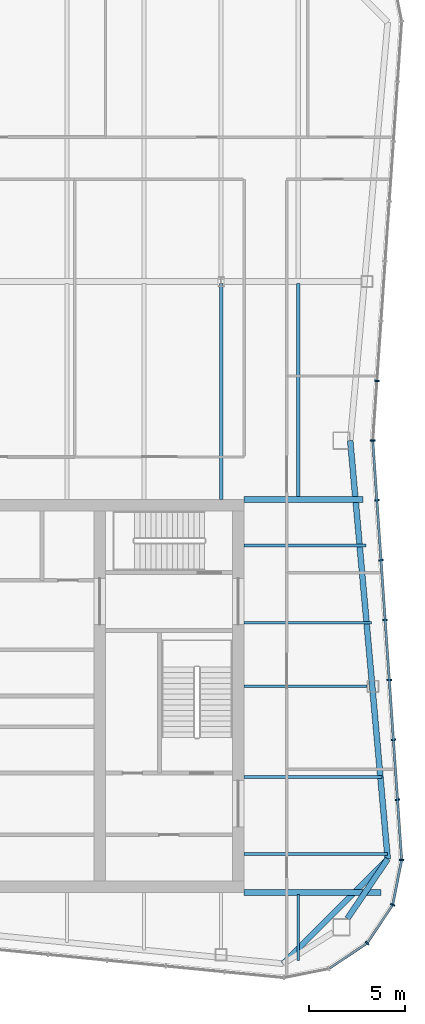
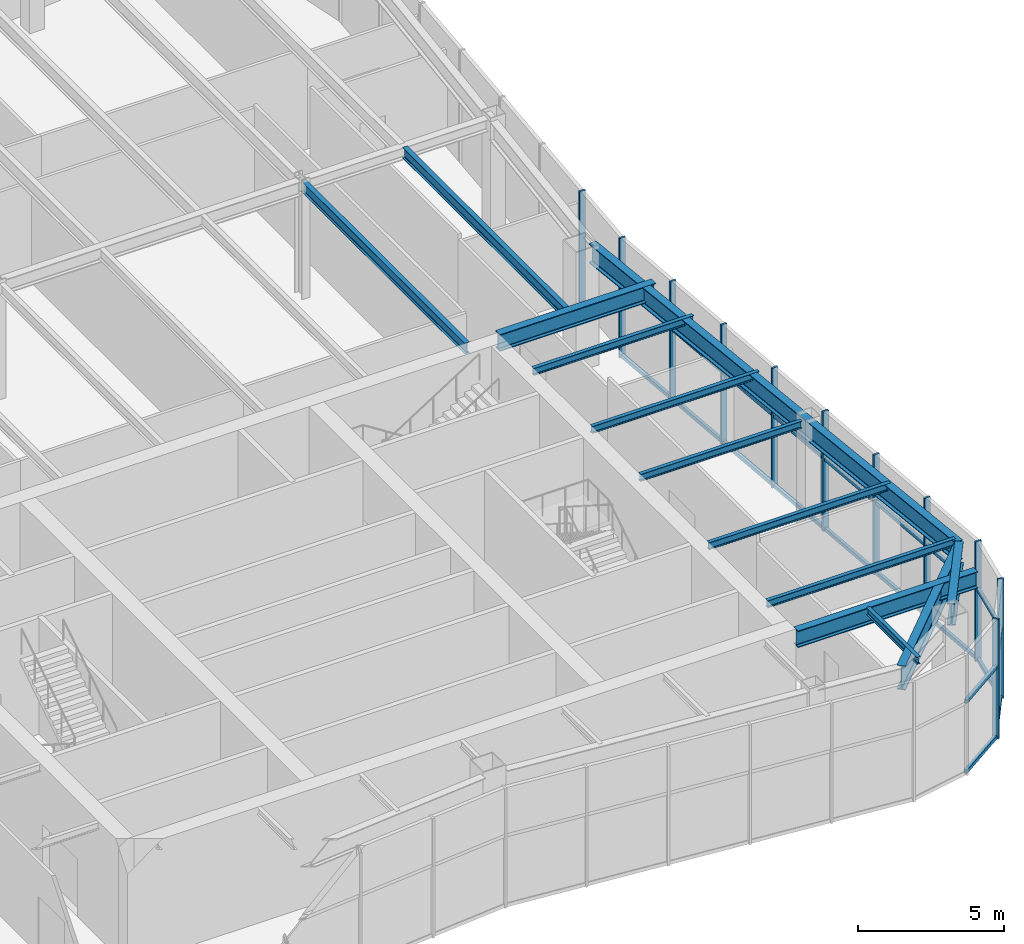
# One storey, part 5 of 13: 19 members, 13 beams, 2 elements without a shape of their own.
"""IFC4 building model written with IfcOpenShell, lengths in metres."""

import ifcopenshell
import ifcopenshell.guid

model = None  # the IFC model being written
_history = None  # IfcOwnerHistory: only IFC2X3 demands one
_inside = {}  # id of a spatial element -> (the spatial element, [elements in it])
_under = {}  # id of a project, library or spatial element -> (it, [spatial elements below it])
_declared = {}  # id of a project -> (the project, [libraries it declares])
_typed = {}  # id of a type object -> (the type object, [elements of that type])
_made_of = {}  # id of a material, layer set ... -> (it, [elements and type objects made of it])


def new_model(schema):
    """Start an empty IFC model of exactly this schema.

    Asked for "IFC4X3", IfcOpenShell would pick the latest addendum, in which some entities
    have other attributes; the version numbers below select the first issue.
    IFC2X3 requires an IfcOwnerHistory on every rooted entity: one is made here for all.
    """
    global model, _history
    if schema == "IFC4X3":
        model = ifcopenshell.file(schema_version=(4, 3, 0, 0))
    else:
        model = ifcopenshell.file(schema=schema)
    _inside.clear()
    _under.clear()
    _declared.clear()
    _typed.clear()
    _made_of.clear()
    _history = None
    if model.schema == "IFC2X3":
        org = make("IfcOrganization", Name="unknown")
        user = make(
            "IfcPersonAndOrganization",
            ThePerson=make("IfcPerson", FamilyName="unknown"),
            TheOrganization=org,
        )
        app = make(
            "IfcApplication",
            ApplicationDeveloper=org,
            Version="unknown",
            ApplicationFullName="unknown",
            ApplicationIdentifier="unknown",
        )
        _history = make(
            "IfcOwnerHistory",
            OwningUser=user,
            OwningApplication=app,
            ChangeAction="ADDED",
            CreationDate=0,
        )
    return model


def make(cls, **values):
    """One entity of the class cls with the attributes given. An attribute that is None is left unset."""
    return model.create_entity(
        cls, **{name: value for name, value in values.items() if value is not None}
    )


def rooted(cls, **values):
    """An entity with a GlobalId (a new one), such as an element, a storey or a relation."""
    return make(cls, GlobalId=ifcopenshell.guid.new(), OwnerHistory=_history, **values)


def si_unit(unit_type, name, prefix=None):
    """IfcSIUnit, for example si_unit("LENGTHUNIT", "METRE", prefix="MILLI")."""
    return make("IfcSIUnit", UnitType=unit_type, Prefix=prefix, Name=name)


def assignment(units):
    """IfcUnitAssignment: the units of a project."""
    return None if units is None else make("IfcUnitAssignment", Units=units)


def point(xyz):
    """IfcCartesianPoint."""
    return None if xyz is None else make("IfcCartesianPoint", Coordinates=xyz)


def direction(xyz):
    """IfcDirection."""
    return None if xyz is None else make("IfcDirection", DirectionRatios=xyz)


def frame(location, z_axis=None, x_axis=None):
    """IfcAxis2Placement3D, a coordinate frame: its origin and axes. An axis left out is left unset."""
    return make(
        "IfcAxis2Placement3D",
        Location=point(location),
        Axis=direction(z_axis),
        RefDirection=direction(x_axis),
    )


def frame_2d(location, x_axis=None):
    """IfcAxis2Placement2D, a coordinate frame in the plane: its origin and x axis."""
    return make(
        "IfcAxis2Placement2D", Location=point(location), RefDirection=direction(x_axis)
    )


def origin():
    """The frame at (0, 0, 0) with its axes left unset."""
    return frame((0.0, 0.0, 0.0))


def origin_2d():
    """The frame at (0, 0) in the plane with its x axis left unset."""
    return frame_2d((0.0, 0.0))


def place(relative_to, where):
    """IfcLocalPlacement: puts the frame where relative to a parent placement (None: the world)."""
    return make(
        "IfcLocalPlacement", PlacementRelTo=relative_to, RelativePlacement=where
    )


def context(
    kind, dimensions, precision=None, world=None, true_north=None, identifier=None
):
    """IfcGeometricRepresentationContext, for example the 3D "Model" context."""
    return make(
        "IfcGeometricRepresentationContext",
        ContextIdentifier=identifier,
        ContextType=kind,
        CoordinateSpaceDimension=dimensions,
        Precision=precision,
        WorldCoordinateSystem=world,
        TrueNorth=true_north,
    )


def subcontext(parent, identifier, kind, view, scale=None):
    """IfcGeometricRepresentationSubContext, for example "Body" below "Model"."""
    return make(
        "IfcGeometricRepresentationSubContext",
        ContextIdentifier=identifier,
        ContextType=kind,
        ParentContext=parent,
        TargetScale=scale,
        TargetView=view,
    )


def project(units=None, contexts=None):
    """IfcProject with its units and contexts."""
    return rooted(
        "IfcProject",
        Name="project",
        RepresentationContexts=contexts,
        UnitsInContext=assignment(units),
    )


def spatial(cls, under=None, at=None, **own):
    """A site, building, storey or space (cls), placed at a placement, below another one or the project."""
    s = rooted(cls, ObjectPlacement=at, **own)
    if under is not None:
        _under.setdefault(under.id(), (under, []))[1].append(s)
    return s


def profile(cls, at=None, kind="AREA", **sizes):
    """A parametric profile (cls). Its sizes go by their IFC names, for example OverallWidth=200.0."""
    return make(cls, ProfileType=kind, Position=at, **sizes)


def rectangle(**sizes):
    """IfcRectangleProfileDef."""
    return profile("IfcRectangleProfileDef", **sizes)


def i_section(**sizes):
    """IfcIShapeProfileDef."""
    return profile("IfcIShapeProfileDef", **sizes)


def extrude(swept, where, along, depth):
    """IfcExtrudedAreaSolid: the profile swept, set in the frame where, extruded along a direction by depth."""
    return make(
        "IfcExtrudedAreaSolid",
        SweptArea=swept,
        Position=where,
        ExtrudedDirection=direction(along),
        Depth=depth,
    )


def shape(context_of_items, identifier, shape_type, items):
    """IfcShapeRepresentation: the items that make up one representation, for example the "Body"."""
    return make(
        "IfcShapeRepresentation",
        ContextOfItems=context_of_items,
        RepresentationIdentifier=identifier,
        RepresentationType=shape_type,
        Items=items,
    )


def material(Name=None, Category=None):
    """IfcMaterial."""
    return make("IfcMaterial", Name=Name, Category=Category)


def material_profile(
    of_material, cross_section, Name=None, Category=None, Priority=None
):
    """IfcMaterialProfile: a cross section and its material."""
    return make(
        "IfcMaterialProfile",
        Name=Name,
        Material=of_material,
        Profile=cross_section,
        Priority=Priority,
        Category=Category,
    )


def profile_set(profiles, Name=None, composite=None):
    """IfcMaterialProfileSet."""
    return make(
        "IfcMaterialProfileSet",
        Name=Name,
        MaterialProfiles=profiles,
        CompositeProfile=composite,
    )


def made_of(thing, what):
    """Note that an element or type object is made of a material, layer set ...; save() writes the relation."""
    if what is not None:
        _made_of.setdefault(what.id(), (what, []))[1].append(thing)
    return thing


def type_object(cls, material=None, **own):
    """A type object (cls), such as IfcWallType, which elements share."""
    return made_of(rooted(cls, **own), material)


def element(
    cls,
    number,
    at=None,
    inside=None,
    cuts=None,
    type_object=None,
    material=None,
    context=None,
    identifier="Body",
    shape_type=None,
    held_by="IfcProductDefinitionShape",
    body=None,
    shapes=None,
    **own,
):
    """One element of the class cls, such as IfcWall. Its Tag is "e" and its number.

    at: its placement. inside: the storey or other place that contains it. cuts: it is an
    opening in that element (IfcRelVoidsElement). A single representation is given by context,
    identifier, shape_type and body (its items); several are given by shapes. held_by: the class
    of the entity that holds the representations. save() writes the other relations.
    """
    e = rooted(cls, Tag="e%d" % number, ObjectPlacement=at, **own)
    if body is not None:
        shapes = [shape(context, identifier, shape_type, body)]
    if shapes is not None:
        e.Representation = make(held_by, Representations=shapes)
    if inside is not None:
        _inside.setdefault(inside.id(), (inside, []))[1].append(e)
    if cuts is not None:
        rooted(
            "IfcRelVoidsElement", RelatingBuildingElement=cuts, RelatedOpeningElement=e
        )
    if type_object is not None:
        _typed.setdefault(type_object.id(), (type_object, []))[1].append(e)
    return made_of(e, material)


def aggregate(whole, parts):
    """IfcRelAggregates: a whole, such as a stair, and the parts it consists of."""
    return rooted("IfcRelAggregates", RelatingObject=whole, RelatedObjects=parts)


def save(model, path):
    """Write the relations noted so far, then the file.

    IfcRelAggregates (storeys below a building ...), IfcRelContainedInSpatialStructure (elements
    in a storey), IfcRelDefinesByType, IfcRelAssociatesMaterial and IfcRelDeclares: one each for
    every whole, place, type object, material and project.
    """
    for whole, parts in _under.values():
        aggregate(whole, parts)
    for where, things in _inside.values():
        rooted(
            "IfcRelContainedInSpatialStructure",
            RelatedElements=things,
            RelatingStructure=where,
        )
    for kind, things in _typed.values():
        rooted("IfcRelDefinesByType", RelatedObjects=things, RelatingType=kind)
    for what, things in _made_of.values():
        rooted("IfcRelAssociatesMaterial", RelatedObjects=things, RelatingMaterial=what)
    for by, libraries in _declared.values():
        rooted("IfcRelDeclares", RelatingContext=by, RelatedDefinitions=libraries)
    model.write(path)


model = new_model("IFC4")

# Units and contexts
model_context = context("Model", 3, precision=1e-05, world=origin(), true_north=direction((0.0, 1.0)))
body_context = subcontext(model_context, "Body", "Model", "MODEL_VIEW")
ifc_project = project(units=[si_unit("LENGTHUNIT", "METRE"), si_unit("AREAUNIT", "SQUARE_METRE"), si_unit("VOLUMEUNIT", "CUBIC_METRE"), si_unit("PLANEANGLEUNIT", "RADIAN"), si_unit("MASSUNIT", "GRAM", prefix="KILO")], contexts=[model_context])

# Site, building, storey
site_placement = place(None, origin())
site = spatial("IfcSite", under=ifc_project, at=site_placement, CompositionType="ELEMENT")
building_placement = place(site_placement, origin())
building = spatial("IfcBuilding", under=site, at=building_placement, Name="Verdant Reach Tower", CompositionType="ELEMENT")
storey_placement = place(building_placement, frame((0.0, 0.0, 354.5)))
storey = spatial("IfcBuildingStorey", under=building, at=storey_placement, Name="L80 Plant", CompositionType="ELEMENT", Elevation=354.5)

# Curtain wall, members
ifc_material_1 = material(Name="Anodised aluminium", Category="aluminium")
curtain_wall_type = type_object("IfcCurtainWallType", Name="EN-CW SYSTEM PLANT", PredefinedType="NOTDEFINED", material=ifc_material_1)
curtain_wall_1_placement = place(storey_placement, origin())
curtain_wall_1 = element("IfcCurtainWall", 1, at=curtain_wall_1_placement, inside=storey, type_object=curtain_wall_type, Name="Curtain wall south-east corner, L80", PredefinedType="NOTDEFINED")
ifc_material_profile_1 = material_profile(ifc_material_1, rectangle(XDim=0.238037109375, YDim=0.080078125, at=origin_2d()), Name="Mullion 80x240")
ifc_profile_set_1 = profile_set([ifc_material_profile_1], Name="Anodised aluminium")
member_type_1 = type_object("IfcMemberType", Name="EN-MULLION PLANT", PredefinedType="MULLION", material=ifc_profile_set_1)
member_1_placement = place(storey_placement, frame((19.57666015625, 15.17333984375, -0.35009765625), z_axis=(0.0, 0.0, 1.0), x_axis=(0.707106781187, -0.707106781187, 0.0)))
member_1 = element("IfcMember", 2, at=member_1_placement, type_object=member_type_1, Name="Mullion south-east corner 3, L80", PredefinedType="MULLION", context=body_context, shape_type="SweptSolid", body=[
    extrude(rectangle(XDim=0.238037109375, YDim=0.080078125, at=origin_2d()), origin(), (0.0, 0.0, 1.0), 5.0),
])
member_2_placement = place(storey_placement, frame((20.9033203125, 17.158447265625, -0.35009765625), z_axis=(0.0, 0.0, 1.0), x_axis=(0.923875215753, -0.382693853776, 0.0)))
member_2 = element("IfcMember", 3, at=member_2_placement, type_object=member_type_1, Name="Mullion south-east corner 4, L80", PredefinedType="MULLION", context=body_context, shape_type="SweptSolid", body=[
    extrude(rectangle(XDim=0.238037109375, YDim=0.080078125, at=origin_2d()), origin(), (0.0, 0.0, 1.0), 5.0),
])

curtain_wall_2_placement = place(storey_placement, origin())
curtain_wall_2 = element("IfcCurtainWall", 4, at=curtain_wall_2_placement, inside=storey, type_object=curtain_wall_type, Name="Curtain wall east, L80", PredefinedType="NOTDEFINED")
member_3_placement = place(storey_placement, frame((21.36865234375, 19.492431640625, -0.35009765625), z_axis=(0.0, 0.0, 1.0), x_axis=(0.997969180898, -0.063698618332, 0.0)))
member_3 = element("IfcMember", 5, at=member_3_placement, type_object=member_type_1, Name="Mullion east face part 1 1, L80", PredefinedType="MULLION", context=body_context, shape_type="SweptSolid", body=[
    extrude(rectangle(XDim=0.238037109375, YDim=0.080078125, at=origin_2d()), origin(), (0.0, 0.0, 1.0), 5.0),
])
member_4_placement = place(storey_placement, frame((21.154541015625, 22.615234375, -0.35009765625), z_axis=(0.0, 0.0, 1.0), x_axis=(0.997630328423, 0.068802091615, 0.0)))
member_4 = element("IfcMember", 6, at=member_4_placement, type_object=member_type_1, Name="Mullion east face part 1 2, L80", PredefinedType="MULLION", context=body_context, shape_type="SweptSolid", body=[
    extrude(rectangle(XDim=0.238037109375, YDim=0.080078125, at=origin_2d()), origin(), (0.0, 0.0, 1.0), 5.0),
])
member_5_placement = place(storey_placement, frame((20.940185546875, 25.722412109375, -0.35009765625), z_axis=(0.0, 0.0, 1.0), x_axis=(0.997630328423, 0.068802091615, 0.0)))
member_5 = element("IfcMember", 7, at=member_5_placement, type_object=member_type_1, Name="Mullion east face part 1 3, L80", PredefinedType="MULLION", context=body_context, shape_type="SweptSolid", body=[
    extrude(rectangle(XDim=0.238037109375, YDim=0.080078125, at=origin_2d()), origin(), (0.0, 0.0, 1.0), 5.0),
])
member_6_placement = place(storey_placement, frame((20.725830078125, 28.82958984375, -0.35009765625), z_axis=(0.0, 0.0, 1.0), x_axis=(0.997630328423, 0.068802091615, 0.0)))
member_6 = element("IfcMember", 8, at=member_6_placement, type_object=member_type_1, Name="Mullion east face part 1 4, L80", PredefinedType="MULLION", context=body_context, shape_type="SweptSolid", body=[
    extrude(rectangle(XDim=0.238037109375, YDim=0.080078125, at=origin_2d()), origin(), (0.0, 0.0, 1.0), 5.0),
])
member_7_placement = place(storey_placement, frame((20.511474609375, 31.936767578125, -0.35009765625), z_axis=(0.0, 0.0, 1.0), x_axis=(0.997630328423, 0.068802091615, 0.0)))
member_7 = element("IfcMember", 9, at=member_7_placement, type_object=member_type_1, Name="Mullion east face part 1 5, L80", PredefinedType="MULLION", context=body_context, shape_type="SweptSolid", body=[
    extrude(rectangle(XDim=0.238037109375, YDim=0.080078125, at=origin_2d()), origin(), (0.0, 0.0, 1.0), 5.0),
])
member_8_placement = place(storey_placement, frame((20.29736328125, 35.0439453125, -0.35009765625), z_axis=(0.0, 0.0, 1.0), x_axis=(0.997630328423, 0.068802091615, 0.0)))
member_8 = element("IfcMember", 10, at=member_8_placement, type_object=member_type_1, Name="Mullion east face part 1 6, L80", PredefinedType="MULLION", context=body_context, shape_type="SweptSolid", body=[
    extrude(rectangle(XDim=0.238037109375, YDim=0.080078125, at=origin_2d()), origin(), (0.0, 0.0, 1.0), 5.0),
])
member_9_placement = place(storey_placement, frame((20.0830078125, 38.151123046875, -0.35009765625), z_axis=(0.0, 0.0, 1.0), x_axis=(0.997630328423, 0.068802091615, 0.0)))
member_9 = element("IfcMember", 11, at=member_9_placement, type_object=member_type_1, Name="Mullion east face part 1 7, L80", PredefinedType="MULLION", context=body_context, shape_type="SweptSolid", body=[
    extrude(rectangle(XDim=0.238037109375, YDim=0.080078125, at=origin_2d()), origin(), (0.0, 0.0, 1.0), 5.0),
])
member_10_placement = place(storey_placement, frame((19.868896484375, 41.25, -0.35009765625), z_axis=(0.0, 0.0, 1.0), x_axis=(1.0, 0.0, 0.0)))
member_10 = element("IfcMember", 12, at=member_10_placement, type_object=member_type_1, Name="Mullion east face part 2 1, L80", PredefinedType="MULLION", context=body_context, shape_type="SweptSolid", body=[
    extrude(rectangle(XDim=0.238037109375, YDim=0.080078125, at=origin_2d()), origin(), (0.0, 0.0, 1.0), 5.0),
])
member_11_placement = place(storey_placement, frame((20.0830078125, 44.348876953125, -0.35009765625), z_axis=(0.0, 0.0, 1.0), x_axis=(0.997630328423, -0.068802091615, 0.0)))
member_11 = element("IfcMember", 13, at=member_11_placement, type_object=member_type_1, Name="Mullion east face part 2 2, L80", PredefinedType="MULLION", context=body_context, shape_type="SweptSolid", body=[
    extrude(rectangle(XDim=0.238037109375, YDim=0.080078125, at=origin_2d()), origin(), (0.0, 0.0, 1.0), 5.0),
])

# Member
ifc_material_profile_2 = material_profile(ifc_material_1, rectangle(XDim=0.1201171875, YDim=0.14990234375, at=origin_2d()), Name="Transom 150x120")
ifc_profile_set_2 = profile_set([ifc_material_profile_2], Name="Anodised aluminium")
member_type_2 = type_object("IfcMemberType", Name="EN-TRANSOM PLANT", PredefinedType="USERDEFINED", material=ifc_profile_set_2)
member_12_placement = place(storey_placement, frame((17.625, 13.868896484375, -0.27490234375), z_axis=(0.831398626828, 0.5556764556, 0.0), x_axis=(-0.5556764556, 0.831398626828, 0.0)))
member_12 = element("IfcMember", 14, at=member_12_placement, type_object=member_type_2, Name="Transom south-east corner 2.1, L80", ObjectType="TRANSOM", PredefinedType="USERDEFINED", context=body_context, shape_type="SweptSolid", body=[
    extrude(rectangle(XDim=0.1201171875, YDim=0.14990234375, at=origin_2d()), origin(), (0.0, 0.0, 1.0), 2.3076171875),
])

member_13_placement = place(storey_placement, frame((19.598876953125, 15.20654296875, -0.27490234375), z_axis=(0.5556764556, 0.831398626828, 0.0), x_axis=(-0.831398626828, 0.5556764556, 0.0)))
member_13 = element("IfcMember", 15, at=member_13_placement, type_object=member_type_2, Name="Transom south-east corner 3.1, L80", ObjectType="TRANSOM", PredefinedType="USERDEFINED", context=body_context, shape_type="SweptSolid", body=[
    extrude(rectangle(XDim=0.1201171875, YDim=0.14990234375, at=origin_2d()), origin(), (0.0, 0.0, 1.0), 2.3076171875),
])

member_14_placement = place(storey_placement, frame((20.9111328125, 17.197509765625, -0.27490234375), z_axis=(0.195524121666, 0.980698892549, 0.0), x_axis=(-0.980698892549, 0.195524121666, 0.0)))
member_14 = element("IfcMember", 16, at=member_14_placement, type_object=member_type_2, Name="Transom south-east corner 4.1, L80", ObjectType="TRANSOM", PredefinedType="USERDEFINED", context=body_context, shape_type="SweptSolid", body=[
    extrude(rectangle(XDim=0.1201171875, YDim=0.14990234375, at=origin_2d()), origin(), (0.0, 0.0, 1.0), 2.300048828125),
])

member_15_placement = place(storey_placement, frame((17.625, 13.868896484375, 2.64990234375), z_axis=(0.831398626828, 0.5556764556, 0.0), x_axis=(-0.5556764556, 0.831398626828, 0.0)))
member_15 = element("IfcMember", 17, at=member_15_placement, type_object=member_type_2, Name="Transom south-east corner 2.2, L80", ObjectType="TRANSOM", PredefinedType="USERDEFINED", context=body_context, shape_type="SweptSolid", body=[
    extrude(rectangle(XDim=0.1201171875, YDim=0.14990234375, at=origin_2d()), origin(), (0.0, 0.0, 1.0), 2.3076171875),
])

member_16_placement = place(storey_placement, frame((19.598876953125, 15.20654296875, 2.64990234375), z_axis=(0.5556764556, 0.831398626828, 0.0), x_axis=(-0.831398626828, 0.5556764556, 0.0)))
member_16 = element("IfcMember", 18, at=member_16_placement, type_object=member_type_2, Name="Transom south-east corner 3.2, L80", ObjectType="TRANSOM", PredefinedType="USERDEFINED", context=body_context, shape_type="SweptSolid", body=[
    extrude(rectangle(XDim=0.1201171875, YDim=0.14990234375, at=origin_2d()), origin(), (0.0, 0.0, 1.0), 2.3076171875),
])

member_17_placement = place(storey_placement, frame((20.9111328125, 17.197509765625, 2.64990234375), z_axis=(0.195524121666, 0.980698892549, 0.0), x_axis=(-0.980698892549, 0.195524121666, 0.0)))
member_17 = element("IfcMember", 19, at=member_17_placement, type_object=member_type_2, Name="Transom south-east corner 4.2, L80", ObjectType="TRANSOM", PredefinedType="USERDEFINED", context=body_context, shape_type="SweptSolid", body=[
    extrude(rectangle(XDim=0.1201171875, YDim=0.14990234375, at=origin_2d()), origin(), (0.0, 0.0, 1.0), 2.300048828125),
])

aggregate(curtain_wall_1, [member_1, member_2, member_12, member_13, member_14, member_15, member_16, member_17])

member_18_placement = place(storey_placement, frame((21.365966796875, 19.5322265625, -0.27490234375), z_axis=(-0.068761218296, 0.997633146431, 0.0), x_axis=(-0.997633146431, -0.068761218296, 0.0)))
member_18 = element("IfcMember", 20, at=member_18_placement, type_object=member_type_2, Name="Transom east face part 1 1.1, L80", ObjectType="TRANSOM", PredefinedType="USERDEFINED", context=body_context, shape_type="SweptSolid", body=[
    extrude(rectangle(XDim=0.1201171875, YDim=0.14990234375, at=origin_2d()), origin(), (0.0, 0.0, 1.0), 21.7294921875),
])

member_19_placement = place(storey_placement, frame((21.365966796875, 19.5322265625, 2.64990234375), z_axis=(-0.068761218296, 0.997633146431, 0.0), x_axis=(-0.997633146431, -0.068761218296, 0.0)))
member_19 = element("IfcMember", 21, at=member_19_placement, type_object=member_type_2, Name="Transom east face part 1 1.2, L80", ObjectType="TRANSOM", PredefinedType="USERDEFINED", context=body_context, shape_type="SweptSolid", body=[
    extrude(rectangle(XDim=0.1201171875, YDim=0.14990234375, at=origin_2d()), origin(), (0.0, 0.0, 1.0), 21.7294921875),
])

aggregate(curtain_wall_2, [member_3, member_4, member_5, member_6, member_7, member_8, member_9, member_18, member_19, member_10, member_11])

# Beams
ifc_material_2 = material(Name="Steel S355", Category="steel")
ifc_material_profile_3 = material_profile(ifc_material_2, i_section(OverallWidth=0.300048828125, OverallDepth=0.699951171875, WebThickness=0.01708984375, FlangeThickness=0.031982421875, FilletRadius=0.027099609375, at=origin_2d()), Name="HEB 700")
ifc_profile_set_3 = profile_set([ifc_material_profile_3], Name="Steel S355")
beam_type_1 = type_object("IfcBeamType", Name="ST-BEAM-HEB700", PredefinedType="BEAM", material=ifc_profile_set_3)
beam_1_placement = place(storey_placement, frame((13.199951171875, 38.199951171875, 4.5), z_axis=(1.0, 0.0, 0.0), x_axis=(0.0, 1.0, 0.0)))
element("IfcBeam", 22, at=beam_1_placement, inside=storey, type_object=beam_type_1, Name="Trimmer beam, L80 Plant", PredefinedType="BEAM", context=body_context, shape_type="SweptSolid", body=[
    extrude(i_section(OverallWidth=0.300048828125, OverallDepth=0.699951171875, WebThickness=0.01708984375, FlangeThickness=0.031982421875, FilletRadius=0.027099609375, at=origin_2d()), origin(), (0.0, 0.0, 1.0), 6.158935546875),
])
beam_2_placement = place(storey_placement, frame((13.199951171875, 17.800048828125, 4.5), z_axis=(1.0, 0.0, 0.0), x_axis=(0.0, 1.0, 0.0)))
element("IfcBeam", 23, at=beam_2_placement, inside=storey, type_object=beam_type_1, Name="Trimmer beam, L80 Plant", PredefinedType="BEAM", context=body_context, shape_type="SweptSolid", body=[
    extrude(i_section(OverallWidth=0.300048828125, OverallDepth=0.699951171875, WebThickness=0.01708984375, FlangeThickness=0.031982421875, FilletRadius=0.027099609375, at=origin_2d()), origin(), (0.0, 0.0, 1.0), 7.10009765625),
])
ifc_material_profile_4 = material_profile(ifc_material_2, i_section(OverallWidth=0.302001953125, OverallDepth=0.909912109375, WebThickness=0.02099609375, FlangeThickness=0.0400390625, FilletRadius=0.030029296875, at=origin_2d()), Name="HEM 900")
ifc_profile_set_4 = profile_set([ifc_material_profile_4], Name="Steel S355")
beam_type_2 = type_object("IfcBeamType", Name="ST-BEAM-HEM900", PredefinedType="BEAM", material=ifc_profile_set_4)
beam_3_placement = place(storey_placement, frame((18.5546875, 16.449951171875, 4.39501953125), z_axis=(0.560667226688, 0.828041219335, 0.0), x_axis=(-0.828041219335, 0.560667226688, 0.0)))
element("IfcBeam", 24, at=beam_3_placement, inside=storey, type_object=beam_type_2, Name="Column stub beam, L80 Plant", PredefinedType="BEAM", context=body_context, shape_type="SweptSolid", body=[
    extrude(i_section(OverallWidth=0.302001953125, OverallDepth=0.909912109375, WebThickness=0.02099609375, FlangeThickness=0.0400390625, FilletRadius=0.030029296875, at=origin_2d()), origin(), (0.0, 0.0, 1.0), 3.72998046875),
])
ifc_material_profile_5 = material_profile(ifc_material_2, i_section(OverallWidth=0.14990234375, OverallDepth=0.300048828125, WebThickness=0.007080078125, FlangeThickness=0.0107421875, FilletRadius=0.014892578125, at=origin_2d()), Name="IPE 300")
ifc_profile_set_5 = profile_set([ifc_material_profile_5], Name="Steel S355")
beam_type_3 = type_object("IfcBeamType", Name="ST-JOIST-IPE300", PredefinedType="JOIST", material=ifc_profile_set_5)
beam_4_placement = place(storey_placement, frame((16.0, 17.699951171875, 4.699951171875), z_axis=(0.0, -1.0, 0.0), x_axis=(1.0, 0.0, 0.0)))
element("IfcBeam", 25, at=beam_4_placement, inside=storey, type_object=beam_type_3, Name="Floor joist, L80 Plant", PredefinedType="JOIST", context=body_context, shape_type="SweptSolid", body=[
    extrude(i_section(OverallWidth=0.14990234375, OverallDepth=0.300048828125, WebThickness=0.007080078125, FlangeThickness=0.0107421875, FilletRadius=0.014892578125, at=origin_2d()), origin(), (0.0, 0.0, 1.0), 3.43896484375),
])
beam_5_placement = place(storey_placement, frame((13.199951171875, 19.800048828125, 4.699951171875), z_axis=(1.0, 0.0, 0.0), x_axis=(0.0, 1.0, 0.0)))
element("IfcBeam", 26, at=beam_5_placement, inside=storey, type_object=beam_type_3, Name="Floor joist, L80 Plant", PredefinedType="JOIST", context=body_context, shape_type="SweptSolid", body=[
    extrude(i_section(OverallWidth=0.14990234375, OverallDepth=0.300048828125, WebThickness=0.007080078125, FlangeThickness=0.0107421875, FilletRadius=0.014892578125, at=origin_2d()), origin(), (0.0, 0.0, 1.0), 7.427978515625),
])
beam_6_placement = place(storey_placement, frame((13.199951171875, 23.800048828125, 4.699951171875), z_axis=(1.0, 0.0, 0.0), x_axis=(0.0, 1.0, 0.0)))
element("IfcBeam", 27, at=beam_6_placement, inside=storey, type_object=beam_type_3, Name="Floor joist, L80 Plant", PredefinedType="JOIST", context=body_context, shape_type="SweptSolid", body=[
    extrude(i_section(OverallWidth=0.14990234375, OverallDepth=0.300048828125, WebThickness=0.007080078125, FlangeThickness=0.0107421875, FilletRadius=0.014892578125, at=origin_2d()), origin(), (0.0, 0.0, 1.0), 7.152099609375),
])
beam_7_placement = place(storey_placement, frame((13.199951171875, 28.5, 4.699951171875), z_axis=(1.0, 0.0, 0.0), x_axis=(0.0, 1.0, 0.0)))
element("IfcBeam", 28, at=beam_7_placement, inside=storey, type_object=beam_type_3, Name="Floor joist, L80 Plant", PredefinedType="JOIST", context=body_context, shape_type="SweptSolid", body=[
    extrude(i_section(OverallWidth=0.14990234375, OverallDepth=0.300048828125, WebThickness=0.007080078125, FlangeThickness=0.0107421875, FilletRadius=0.014892578125, at=origin_2d()), origin(), (0.0, 0.0, 1.0), 6.37939453125),
])
beam_8_placement = place(storey_placement, frame((13.199951171875, 31.800048828125, 4.699951171875), z_axis=(1.0, 0.0, 0.0), x_axis=(0.0, 1.0, 0.0)))
element("IfcBeam", 29, at=beam_8_placement, inside=storey, type_object=beam_type_3, Name="Floor joist, L80 Plant", PredefinedType="JOIST", context=body_context, shape_type="SweptSolid", body=[
    extrude(i_section(OverallWidth=0.14990234375, OverallDepth=0.300048828125, WebThickness=0.007080078125, FlangeThickness=0.0107421875, FilletRadius=0.014892578125, at=origin_2d()), origin(), (0.0, 0.0, 1.0), 6.600341796875),
])
beam_9_placement = place(storey_placement, frame((13.199951171875, 35.800048828125, 4.699951171875), z_axis=(1.0, 0.0, 0.0), x_axis=(0.0, 1.0, 0.0)))
element("IfcBeam", 30, at=beam_9_placement, inside=storey, type_object=beam_type_3, Name="Floor joist, L80 Plant", PredefinedType="JOIST", context=body_context, shape_type="SweptSolid", body=[
    extrude(i_section(OverallWidth=0.14990234375, OverallDepth=0.300048828125, WebThickness=0.007080078125, FlangeThickness=0.0107421875, FilletRadius=0.014892578125, at=origin_2d()), origin(), (0.0, 0.0, 1.0), 6.324462890625),
])
ifc_material_profile_6 = material_profile(ifc_material_2, i_section(OverallWidth=0.18994140625, OverallDepth=0.449951171875, WebThickness=0.009521484375, FlangeThickness=0.0146484375, FilletRadius=0.02099609375, at=origin_2d()), Name="IPE 450")
ifc_profile_set_6 = profile_set([ifc_material_profile_6], Name="Steel S355")
beam_type_4 = type_object("IfcBeamType", Name="ST-JOIST-IPE450", PredefinedType="JOIST", material=ifc_profile_set_6)
beam_10_placement = place(storey_placement, frame((12.0, 38.199951171875, 4.625), z_axis=(0.0, 1.0, 0.0), x_axis=(-1.0, 0.0, 0.0)))
element("IfcBeam", 31, at=beam_10_placement, inside=storey, type_object=beam_type_4, Name="Floor joist, L80 Plant", PredefinedType="JOIST", context=body_context, shape_type="SweptSolid", body=[
    extrude(i_section(OverallWidth=0.18994140625, OverallDepth=0.449951171875, WebThickness=0.009521484375, FlangeThickness=0.0146484375, FilletRadius=0.02099609375, at=origin_2d()), origin(), (0.0, 0.0, 1.0), 11.199951171875),
])
beam_11_placement = place(storey_placement, frame((16.0, 38.300048828125, 4.625), z_axis=(0.0, 1.0, 0.0), x_axis=(-1.0, 0.0, 0.0)))
element("IfcBeam", 32, at=beam_11_placement, inside=storey, type_object=beam_type_4, Name="Floor joist, L80 Plant", PredefinedType="JOIST", context=body_context, shape_type="SweptSolid", body=[
    extrude(i_section(OverallWidth=0.18994140625, OverallDepth=0.449951171875, WebThickness=0.009521484375, FlangeThickness=0.0146484375, FilletRadius=0.02099609375, at=origin_2d()), origin(), (0.0, 0.0, 1.0), 11.099853515625),
])
ifc_material_profile_7 = material_profile(ifc_material_2, i_section(OverallWidth=0.300048828125, OverallDepth=0.800048828125, WebThickness=0.017578125, FlangeThickness=0.032958984375, FilletRadius=0.030029296875, at=origin_2d()), Name="HEB 800")
ifc_profile_set_7 = profile_set([ifc_material_profile_7], Name="Steel S355")
beam_type_5 = type_object("IfcBeamType", Name="ST-SPANDREL-HEB800", PredefinedType="SPANDREL", material=ifc_profile_set_7)
beam_12_placement = place(storey_placement, frame((18.699951171875, 41.25, 4.449951171875), z_axis=(0.089274399498, -0.996007069048, 0.0), x_axis=(0.996007069048, 0.089274399498, 0.0)))
element("IfcBeam", 33, at=beam_12_placement, inside=storey, type_object=beam_type_5, Name="Edge beam, L80 Plant", PredefinedType="SPANDREL", context=body_context, shape_type="SweptSolid", body=[
    extrude(i_section(OverallWidth=0.300048828125, OverallDepth=0.800048828125, WebThickness=0.017578125, FlangeThickness=0.032958984375, FilletRadius=0.030029296875, at=origin_2d()), origin(), (0.0, 0.0, 1.0), 21.798583984375),
])
ifc_material_profile_8 = material_profile(ifc_material_2, i_section(OverallWidth=0.302001953125, OverallDepth=1.008056640625, WebThickness=0.02099609375, FlangeThickness=0.0400390625, FilletRadius=0.030029296875, at=origin_2d()), Name="HEM 1000")
ifc_profile_set_8 = profile_set([ifc_material_profile_8], Name="Steel S355")
beam_type_6 = type_object("IfcBeamType", Name="ST-SPANDREL-HEM1000", PredefinedType="SPANDREL", material=ifc_profile_set_8)
beam_13_placement = place(storey_placement, frame((20.64599609375, 19.53857421875, 4.345947265625), z_axis=(-0.706645581521, -0.707567680237, 0.0), x_axis=(0.707567680237, -0.706645581521, 0.0)))
element("IfcBeam", 34, at=beam_13_placement, inside=storey, type_object=beam_type_6, Name="Edge beam, L80 Plant", PredefinedType="SPANDREL", context=body_context, shape_type="SweptSolid", body=[
    extrude(i_section(OverallWidth=0.302001953125, OverallDepth=1.008056640625, WebThickness=0.02099609375, FlangeThickness=0.0400390625, FilletRadius=0.030029296875, at=origin_2d()), origin(), (0.0, 0.0, 1.0), 7.67822265625),
])

save(model, "model.ifc")
